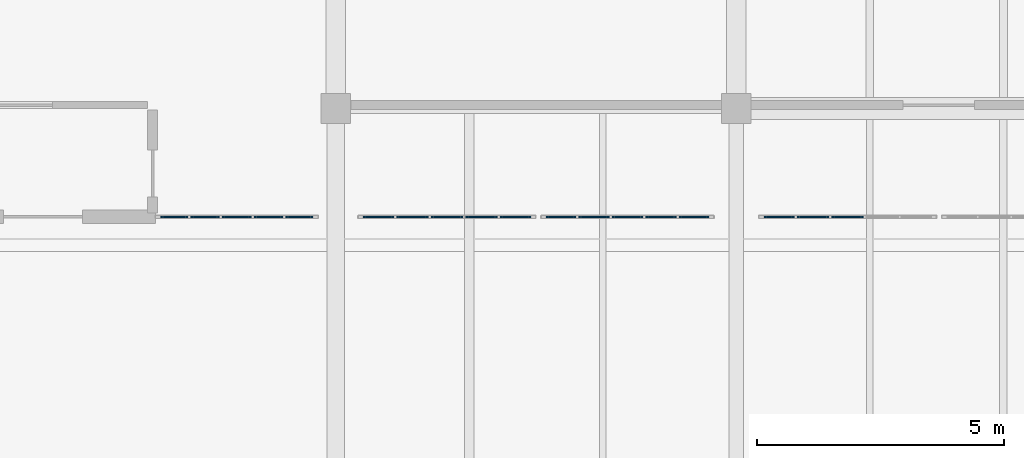
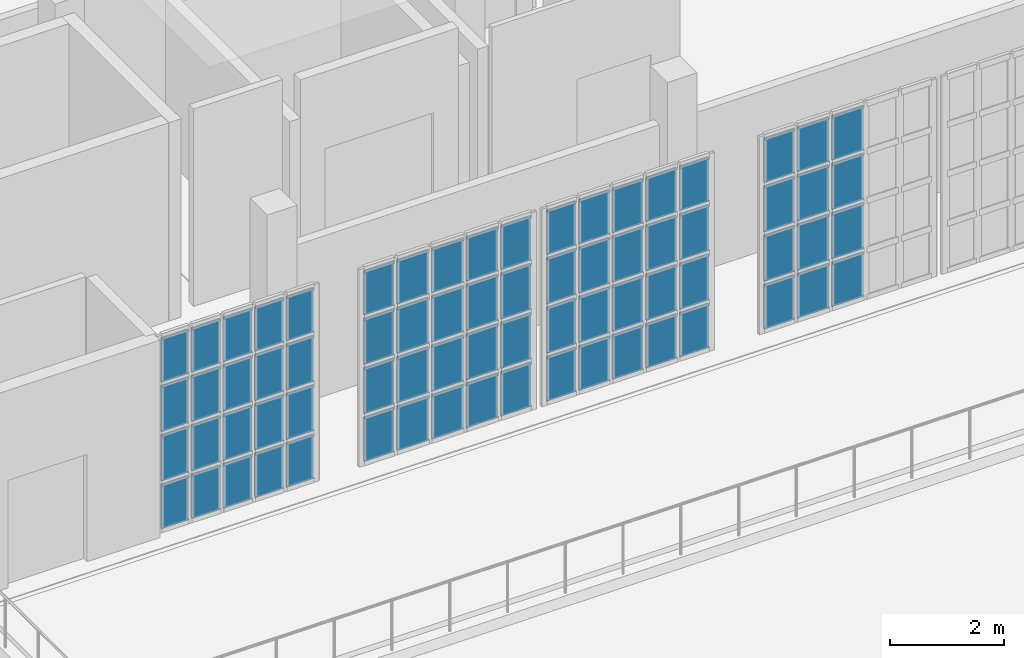
# One storey, part 39 of 56: 72 plates, 4 elements without a shape of their own.
"""IFC4 building model written with IfcOpenShell, lengths in metres."""

from ifc_helpers import new_model, si_unit, direction, frame, origin, origin_2d, place, context, subcontext, project, spatial, rectangle, extrude, material, layer, layer_set, type_object, element, aggregate, save


model = new_model("IFC4")

# Units and contexts
model_context = context("Model", 3, precision=1e-05, world=origin(), true_north=direction((0.0, 1.0)))
body_context = subcontext(model_context, "Body", "Model", "MODEL_VIEW")
ifc_project = project(units=[si_unit("LENGTHUNIT", "METRE"), si_unit("AREAUNIT", "SQUARE_METRE"), si_unit("VOLUMEUNIT", "CUBIC_METRE"), si_unit("PLANEANGLEUNIT", "RADIAN"), si_unit("MASSUNIT", "GRAM", prefix="KILO")], contexts=[model_context])

# Site, building, storey
site_placement = place(None, origin())
site = spatial("IfcSite", under=ifc_project, at=site_placement, CompositionType="ELEMENT")
building_placement = place(site_placement, origin())
building = spatial("IfcBuilding", under=site, at=building_placement, Name="Kaelora Sail Theatre", CompositionType="ELEMENT")
storey_placement = place(building_placement, frame((0.0, 0.0, 14.699951171875)))
storey = spatial("IfcBuildingStorey", under=building, at=storey_placement, Name="L03", CompositionType="ELEMENT", Elevation=14.699951171875)

# Curtain wall, plates
ifc_material_1 = material(Name="Anodised aluminium and solar-control low-E IGU", Category="aluminium")
curtain_wall_type = type_object("IfcCurtainWallType", Name="ARC-CW-CW-NWG", PredefinedType="NOTDEFINED", material=ifc_material_1)
curtain_wall_1_placement = place(storey_placement, origin())
curtain_wall_1 = element("IfcCurtainWall", 1, at=curtain_wall_1_placement, inside=storey, type_object=curtain_wall_type, Name="Glazed Foyer/Conservatory Curtain Wall NW4-S-L03-01", PredefinedType="NOTDEFINED")
ifc_material_2 = material(Name="Solar-control laminated low-E glass", Category="glass")
ifc_layer = layer(ifc_material_2, 0.031982421875)
ifc_layer_set = layer_set([ifc_layer], Name="Solar-control laminated low-E glass")
plate_type = type_object("IfcPlateType", Name="ARC-CW-PNL", PredefinedType="CURTAIN_PANEL", material=ifc_layer_set)
plate_1_placement = place(storey_placement, frame((103.534912109375, 88.590087890625, 0.070068359375), z_axis=(0.0, 0.0, 1.0), x_axis=(1.0, 0.0, 0.0)))
plate_1 = element("IfcPlate", 2, at=plate_1_placement, type_object=plate_type, Name="CW-NWG panel 1.1", PredefinedType="CURTAIN_PANEL", context=body_context, shape_type="SweptSolid", body=[
    extrude(rectangle(XDim=0.550048828125, YDim=0.031982421875, at=origin_2d()), origin(), (0.0, 0.0, 1.0), 0.951171875),
])
plate_2_placement = place(storey_placement, frame((103.534912109375, 88.590087890625, 1.09130859375), z_axis=(0.0, 0.0, 1.0), x_axis=(1.0, 0.0, 0.0)))
plate_2 = element("IfcPlate", 3, at=plate_2_placement, type_object=plate_type, Name="CW-NWG panel 1.2", PredefinedType="CURTAIN_PANEL", context=body_context, shape_type="SweptSolid", body=[
    extrude(rectangle(XDim=0.550048828125, YDim=0.031982421875, at=origin_2d()), origin(), (0.0, 0.0, 1.0), 0.986328125),
])
plate_3_placement = place(storey_placement, frame((103.534912109375, 88.590087890625, 2.1474609375), z_axis=(0.0, 0.0, 1.0), x_axis=(1.0, 0.0, 0.0)))
plate_3 = element("IfcPlate", 4, at=plate_3_placement, type_object=plate_type, Name="CW-NWG panel 1.3", PredefinedType="CURTAIN_PANEL", context=body_context, shape_type="SweptSolid", body=[
    extrude(rectangle(XDim=0.550048828125, YDim=0.031982421875, at=origin_2d()), origin(), (0.0, 0.0, 1.0), 0.986083984375),
])
plate_4_placement = place(storey_placement, frame((103.534912109375, 88.590087890625, 3.20361328125), z_axis=(0.0, 0.0, 1.0), x_axis=(1.0, 0.0, 0.0)))
plate_4 = element("IfcPlate", 5, at=plate_4_placement, type_object=plate_type, Name="CW-NWG panel 1.4", PredefinedType="CURTAIN_PANEL", context=body_context, shape_type="SweptSolid", body=[
    extrude(rectangle(XDim=0.550048828125, YDim=0.031982421875, at=origin_2d()), origin(), (0.0, 0.0, 1.0), 0.951416015625),
])
plate_5_placement = place(storey_placement, frame((104.159912109375, 88.590087890625, 0.070068359375), z_axis=(0.0, 0.0, 1.0), x_axis=(1.0, 0.0, 0.0)))
plate_5 = element("IfcPlate", 6, at=plate_5_placement, type_object=plate_type, Name="CW-NWG panel 2.1", PredefinedType="CURTAIN_PANEL", context=body_context, shape_type="SweptSolid", body=[
    extrude(rectangle(XDim=0.580078125, YDim=0.031982421875, at=origin_2d()), origin(), (0.0, 0.0, 1.0), 0.951171875),
])
plate_6_placement = place(storey_placement, frame((104.159912109375, 88.590087890625, 1.09130859375), z_axis=(0.0, 0.0, 1.0), x_axis=(1.0, 0.0, 0.0)))
plate_6 = element("IfcPlate", 7, at=plate_6_placement, type_object=plate_type, Name="CW-NWG panel 2.2", PredefinedType="CURTAIN_PANEL", context=body_context, shape_type="SweptSolid", body=[
    extrude(rectangle(XDim=0.580078125, YDim=0.031982421875, at=origin_2d()), origin(), (0.0, 0.0, 1.0), 0.986328125),
])
plate_7_placement = place(storey_placement, frame((104.159912109375, 88.590087890625, 2.1474609375), z_axis=(0.0, 0.0, 1.0), x_axis=(1.0, 0.0, 0.0)))
plate_7 = element("IfcPlate", 8, at=plate_7_placement, type_object=plate_type, Name="CW-NWG panel 2.3", PredefinedType="CURTAIN_PANEL", context=body_context, shape_type="SweptSolid", body=[
    extrude(rectangle(XDim=0.580078125, YDim=0.031982421875, at=origin_2d()), origin(), (0.0, 0.0, 1.0), 0.986083984375),
])
plate_8_placement = place(storey_placement, frame((104.159912109375, 88.590087890625, 3.20361328125), z_axis=(0.0, 0.0, 1.0), x_axis=(1.0, 0.0, 0.0)))
plate_8 = element("IfcPlate", 9, at=plate_8_placement, type_object=plate_type, Name="CW-NWG panel 2.4", PredefinedType="CURTAIN_PANEL", context=body_context, shape_type="SweptSolid", body=[
    extrude(rectangle(XDim=0.580078125, YDim=0.031982421875, at=origin_2d()), origin(), (0.0, 0.0, 1.0), 0.951416015625),
])
plate_9_placement = place(storey_placement, frame((104.800048828125, 88.590087890625, 0.070068359375), z_axis=(0.0, 0.0, 1.0), x_axis=(1.0, 0.0, 0.0)))
plate_9 = element("IfcPlate", 10, at=plate_9_placement, type_object=plate_type, Name="CW-NWG panel 3.1", PredefinedType="CURTAIN_PANEL", context=body_context, shape_type="SweptSolid", body=[
    extrude(rectangle(XDim=0.580078125, YDim=0.031982421875, at=origin_2d()), origin(), (0.0, 0.0, 1.0), 0.951171875),
])
plate_10_placement = place(storey_placement, frame((104.800048828125, 88.590087890625, 1.09130859375), z_axis=(0.0, 0.0, 1.0), x_axis=(1.0, 0.0, 0.0)))
plate_10 = element("IfcPlate", 11, at=plate_10_placement, type_object=plate_type, Name="CW-NWG panel 3.2", PredefinedType="CURTAIN_PANEL", context=body_context, shape_type="SweptSolid", body=[
    extrude(rectangle(XDim=0.580078125, YDim=0.031982421875, at=origin_2d()), origin(), (0.0, 0.0, 1.0), 0.986328125),
])
plate_11_placement = place(storey_placement, frame((104.800048828125, 88.590087890625, 2.1474609375), z_axis=(0.0, 0.0, 1.0), x_axis=(1.0, 0.0, 0.0)))
plate_11 = element("IfcPlate", 12, at=plate_11_placement, type_object=plate_type, Name="CW-NWG panel 3.3", PredefinedType="CURTAIN_PANEL", context=body_context, shape_type="SweptSolid", body=[
    extrude(rectangle(XDim=0.580078125, YDim=0.031982421875, at=origin_2d()), origin(), (0.0, 0.0, 1.0), 0.986083984375),
])
plate_12_placement = place(storey_placement, frame((104.800048828125, 88.590087890625, 3.20361328125), z_axis=(0.0, 0.0, 1.0), x_axis=(1.0, 0.0, 0.0)))
plate_12 = element("IfcPlate", 13, at=plate_12_placement, type_object=plate_type, Name="CW-NWG panel 3.4", PredefinedType="CURTAIN_PANEL", context=body_context, shape_type="SweptSolid", body=[
    extrude(rectangle(XDim=0.580078125, YDim=0.031982421875, at=origin_2d()), origin(), (0.0, 0.0, 1.0), 0.951416015625),
])
plate_13_placement = place(storey_placement, frame((105.43994140625, 88.590087890625, 0.070068359375), z_axis=(0.0, 0.0, 1.0), x_axis=(1.0, 0.0, 0.0)))
plate_13 = element("IfcPlate", 14, at=plate_13_placement, type_object=plate_type, Name="CW-NWG panel 4.1", PredefinedType="CURTAIN_PANEL", context=body_context, shape_type="SweptSolid", body=[
    extrude(rectangle(XDim=0.580078125, YDim=0.031982421875, at=origin_2d()), origin(), (0.0, 0.0, 1.0), 0.951171875),
])
plate_14_placement = place(storey_placement, frame((105.43994140625, 88.590087890625, 1.09130859375), z_axis=(0.0, 0.0, 1.0), x_axis=(1.0, 0.0, 0.0)))
plate_14 = element("IfcPlate", 15, at=plate_14_placement, type_object=plate_type, Name="CW-NWG panel 4.2", PredefinedType="CURTAIN_PANEL", context=body_context, shape_type="SweptSolid", body=[
    extrude(rectangle(XDim=0.580078125, YDim=0.031982421875, at=origin_2d()), origin(), (0.0, 0.0, 1.0), 0.986328125),
])
plate_15_placement = place(storey_placement, frame((105.43994140625, 88.590087890625, 2.1474609375), z_axis=(0.0, 0.0, 1.0), x_axis=(1.0, 0.0, 0.0)))
plate_15 = element("IfcPlate", 16, at=plate_15_placement, type_object=plate_type, Name="CW-NWG panel 4.3", PredefinedType="CURTAIN_PANEL", context=body_context, shape_type="SweptSolid", body=[
    extrude(rectangle(XDim=0.580078125, YDim=0.031982421875, at=origin_2d()), origin(), (0.0, 0.0, 1.0), 0.986083984375),
])
plate_16_placement = place(storey_placement, frame((105.43994140625, 88.590087890625, 3.20361328125), z_axis=(0.0, 0.0, 1.0), x_axis=(1.0, 0.0, 0.0)))
plate_16 = element("IfcPlate", 17, at=plate_16_placement, type_object=plate_type, Name="CW-NWG panel 4.4", PredefinedType="CURTAIN_PANEL", context=body_context, shape_type="SweptSolid", body=[
    extrude(rectangle(XDim=0.580078125, YDim=0.031982421875, at=origin_2d()), origin(), (0.0, 0.0, 1.0), 0.951416015625),
])
plate_17_placement = place(storey_placement, frame((106.06494140625, 88.590087890625, 0.070068359375), z_axis=(0.0, 0.0, 1.0), x_axis=(1.0, 0.0, 0.0)))
plate_17 = element("IfcPlate", 18, at=plate_17_placement, type_object=plate_type, Name="CW-NWG panel 5.1", PredefinedType="CURTAIN_PANEL", context=body_context, shape_type="SweptSolid", body=[
    extrude(rectangle(XDim=0.550048828125, YDim=0.031982421875, at=origin_2d()), origin(), (0.0, 0.0, 1.0), 0.951171875),
])
plate_18_placement = place(storey_placement, frame((106.06494140625, 88.590087890625, 1.09130859375), z_axis=(0.0, 0.0, 1.0), x_axis=(1.0, 0.0, 0.0)))
plate_18 = element("IfcPlate", 19, at=plate_18_placement, type_object=plate_type, Name="CW-NWG panel 5.2", PredefinedType="CURTAIN_PANEL", context=body_context, shape_type="SweptSolid", body=[
    extrude(rectangle(XDim=0.550048828125, YDim=0.031982421875, at=origin_2d()), origin(), (0.0, 0.0, 1.0), 0.986328125),
])
plate_19_placement = place(storey_placement, frame((106.06494140625, 88.590087890625, 2.1474609375), z_axis=(0.0, 0.0, 1.0), x_axis=(1.0, 0.0, 0.0)))
plate_19 = element("IfcPlate", 20, at=plate_19_placement, type_object=plate_type, Name="CW-NWG panel 5.3", PredefinedType="CURTAIN_PANEL", context=body_context, shape_type="SweptSolid", body=[
    extrude(rectangle(XDim=0.550048828125, YDim=0.031982421875, at=origin_2d()), origin(), (0.0, 0.0, 1.0), 0.986083984375),
])
plate_20_placement = place(storey_placement, frame((106.06494140625, 88.590087890625, 3.20361328125), z_axis=(0.0, 0.0, 1.0), x_axis=(1.0, 0.0, 0.0)))
plate_20 = element("IfcPlate", 21, at=plate_20_placement, type_object=plate_type, Name="CW-NWG panel 5.4", PredefinedType="CURTAIN_PANEL", context=body_context, shape_type="SweptSolid", body=[
    extrude(rectangle(XDim=0.550048828125, YDim=0.031982421875, at=origin_2d()), origin(), (0.0, 0.0, 1.0), 0.951416015625),
])
aggregate(curtain_wall_1, [plate_1, plate_2, plate_3, plate_4, plate_5, plate_6, plate_7, plate_8, plate_9, plate_10, plate_11, plate_12, plate_13, plate_14, plate_15, plate_16, plate_17, plate_18, plate_19, plate_20])

curtain_wall_2_placement = place(storey_placement, origin())
curtain_wall_2 = element("IfcCurtainWall", 22, at=curtain_wall_2_placement, inside=storey, type_object=curtain_wall_type, Name="Glazed Foyer/Conservatory Curtain Wall NW4-S-L03-02", PredefinedType="NOTDEFINED")
plate_21_placement = place(storey_placement, frame((107.6650390625, 88.590087890625, 0.070068359375), z_axis=(0.0, 0.0, 1.0), x_axis=(1.0, 0.0, 0.0)))
plate_21 = element("IfcPlate", 23, at=plate_21_placement, type_object=plate_type, Name="CW-NWG panel 1.1", PredefinedType="CURTAIN_PANEL", context=body_context, shape_type="SweptSolid", body=[
    extrude(rectangle(XDim=0.610107421875, YDim=0.031982421875, at=origin_2d()), origin(), (0.0, 0.0, 1.0), 0.951171875),
])
plate_22_placement = place(storey_placement, frame((107.6650390625, 88.590087890625, 1.09130859375), z_axis=(0.0, 0.0, 1.0), x_axis=(1.0, 0.0, 0.0)))
plate_22 = element("IfcPlate", 24, at=plate_22_placement, type_object=plate_type, Name="CW-NWG panel 1.2", PredefinedType="CURTAIN_PANEL", context=body_context, shape_type="SweptSolid", body=[
    extrude(rectangle(XDim=0.610107421875, YDim=0.031982421875, at=origin_2d()), origin(), (0.0, 0.0, 1.0), 0.986328125),
])
plate_23_placement = place(storey_placement, frame((107.6650390625, 88.590087890625, 2.1474609375), z_axis=(0.0, 0.0, 1.0), x_axis=(1.0, 0.0, 0.0)))
plate_23 = element("IfcPlate", 25, at=plate_23_placement, type_object=plate_type, Name="CW-NWG panel 1.3", PredefinedType="CURTAIN_PANEL", context=body_context, shape_type="SweptSolid", body=[
    extrude(rectangle(XDim=0.610107421875, YDim=0.031982421875, at=origin_2d()), origin(), (0.0, 0.0, 1.0), 0.986083984375),
])
plate_24_placement = place(storey_placement, frame((107.6650390625, 88.590087890625, 3.20361328125), z_axis=(0.0, 0.0, 1.0), x_axis=(1.0, 0.0, 0.0)))
plate_24 = element("IfcPlate", 26, at=plate_24_placement, type_object=plate_type, Name="CW-NWG panel 1.4", PredefinedType="CURTAIN_PANEL", context=body_context, shape_type="SweptSolid", body=[
    extrude(rectangle(XDim=0.610107421875, YDim=0.031982421875, at=origin_2d()), origin(), (0.0, 0.0, 1.0), 0.951416015625),
])
plate_25_placement = place(storey_placement, frame((108.35009765625, 88.590087890625, 0.070068359375), z_axis=(0.0, 0.0, 1.0), x_axis=(1.0, 0.0, 0.0)))
plate_25 = element("IfcPlate", 27, at=plate_25_placement, type_object=plate_type, Name="CW-NWG panel 2.1", PredefinedType="CURTAIN_PANEL", context=body_context, shape_type="SweptSolid", body=[
    extrude(rectangle(XDim=0.639892578125, YDim=0.031982421875, at=origin_2d()), origin(), (0.0, 0.0, 1.0), 0.951171875),
])
plate_26_placement = place(storey_placement, frame((108.35009765625, 88.590087890625, 1.09130859375), z_axis=(0.0, 0.0, 1.0), x_axis=(1.0, 0.0, 0.0)))
plate_26 = element("IfcPlate", 28, at=plate_26_placement, type_object=plate_type, Name="CW-NWG panel 2.2", PredefinedType="CURTAIN_PANEL", context=body_context, shape_type="SweptSolid", body=[
    extrude(rectangle(XDim=0.639892578125, YDim=0.031982421875, at=origin_2d()), origin(), (0.0, 0.0, 1.0), 0.986328125),
])
plate_27_placement = place(storey_placement, frame((108.35009765625, 88.590087890625, 2.1474609375), z_axis=(0.0, 0.0, 1.0), x_axis=(1.0, 0.0, 0.0)))
plate_27 = element("IfcPlate", 29, at=plate_27_placement, type_object=plate_type, Name="CW-NWG panel 2.3", PredefinedType="CURTAIN_PANEL", context=body_context, shape_type="SweptSolid", body=[
    extrude(rectangle(XDim=0.639892578125, YDim=0.031982421875, at=origin_2d()), origin(), (0.0, 0.0, 1.0), 0.986083984375),
])
plate_28_placement = place(storey_placement, frame((108.35009765625, 88.590087890625, 3.20361328125), z_axis=(0.0, 0.0, 1.0), x_axis=(1.0, 0.0, 0.0)))
plate_28 = element("IfcPlate", 30, at=plate_28_placement, type_object=plate_type, Name="CW-NWG panel 2.4", PredefinedType="CURTAIN_PANEL", context=body_context, shape_type="SweptSolid", body=[
    extrude(rectangle(XDim=0.639892578125, YDim=0.031982421875, at=origin_2d()), origin(), (0.0, 0.0, 1.0), 0.951416015625),
])
plate_29_placement = place(storey_placement, frame((109.050048828125, 88.590087890625, 0.070068359375), z_axis=(0.0, 0.0, 1.0), x_axis=(1.0, 0.0, 0.0)))
plate_29 = element("IfcPlate", 31, at=plate_29_placement, type_object=plate_type, Name="CW-NWG panel 3.1", PredefinedType="CURTAIN_PANEL", context=body_context, shape_type="SweptSolid", body=[
    extrude(rectangle(XDim=0.639892578125, YDim=0.031982421875, at=origin_2d()), origin(), (0.0, 0.0, 1.0), 0.951171875),
])
plate_30_placement = place(storey_placement, frame((109.050048828125, 88.590087890625, 1.09130859375), z_axis=(0.0, 0.0, 1.0), x_axis=(1.0, 0.0, 0.0)))
plate_30 = element("IfcPlate", 32, at=plate_30_placement, type_object=plate_type, Name="CW-NWG panel 3.2", PredefinedType="CURTAIN_PANEL", context=body_context, shape_type="SweptSolid", body=[
    extrude(rectangle(XDim=0.639892578125, YDim=0.031982421875, at=origin_2d()), origin(), (0.0, 0.0, 1.0), 0.986328125),
])
plate_31_placement = place(storey_placement, frame((109.050048828125, 88.590087890625, 2.1474609375), z_axis=(0.0, 0.0, 1.0), x_axis=(1.0, 0.0, 0.0)))
plate_31 = element("IfcPlate", 33, at=plate_31_placement, type_object=plate_type, Name="CW-NWG panel 3.3", PredefinedType="CURTAIN_PANEL", context=body_context, shape_type="SweptSolid", body=[
    extrude(rectangle(XDim=0.639892578125, YDim=0.031982421875, at=origin_2d()), origin(), (0.0, 0.0, 1.0), 0.986083984375),
])
plate_32_placement = place(storey_placement, frame((109.050048828125, 88.590087890625, 3.20361328125), z_axis=(0.0, 0.0, 1.0), x_axis=(1.0, 0.0, 0.0)))
plate_32 = element("IfcPlate", 34, at=plate_32_placement, type_object=plate_type, Name="CW-NWG panel 3.4", PredefinedType="CURTAIN_PANEL", context=body_context, shape_type="SweptSolid", body=[
    extrude(rectangle(XDim=0.639892578125, YDim=0.031982421875, at=origin_2d()), origin(), (0.0, 0.0, 1.0), 0.951416015625),
])
plate_33_placement = place(storey_placement, frame((109.75, 88.590087890625, 0.070068359375), z_axis=(0.0, 0.0, 1.0), x_axis=(1.0, 0.0, 0.0)))
plate_33 = element("IfcPlate", 35, at=plate_33_placement, type_object=plate_type, Name="CW-NWG panel 4.1", PredefinedType="CURTAIN_PANEL", context=body_context, shape_type="SweptSolid", body=[
    extrude(rectangle(XDim=0.639892578125, YDim=0.031982421875, at=origin_2d()), origin(), (0.0, 0.0, 1.0), 0.951171875),
])
plate_34_placement = place(storey_placement, frame((109.75, 88.590087890625, 1.09130859375), z_axis=(0.0, 0.0, 1.0), x_axis=(1.0, 0.0, 0.0)))
plate_34 = element("IfcPlate", 36, at=plate_34_placement, type_object=plate_type, Name="CW-NWG panel 4.2", PredefinedType="CURTAIN_PANEL", context=body_context, shape_type="SweptSolid", body=[
    extrude(rectangle(XDim=0.639892578125, YDim=0.031982421875, at=origin_2d()), origin(), (0.0, 0.0, 1.0), 0.986328125),
])
plate_35_placement = place(storey_placement, frame((109.75, 88.590087890625, 2.1474609375), z_axis=(0.0, 0.0, 1.0), x_axis=(1.0, 0.0, 0.0)))
plate_35 = element("IfcPlate", 37, at=plate_35_placement, type_object=plate_type, Name="CW-NWG panel 4.3", PredefinedType="CURTAIN_PANEL", context=body_context, shape_type="SweptSolid", body=[
    extrude(rectangle(XDim=0.639892578125, YDim=0.031982421875, at=origin_2d()), origin(), (0.0, 0.0, 1.0), 0.986083984375),
])
plate_36_placement = place(storey_placement, frame((109.75, 88.590087890625, 3.20361328125), z_axis=(0.0, 0.0, 1.0), x_axis=(1.0, 0.0, 0.0)))
plate_36 = element("IfcPlate", 38, at=plate_36_placement, type_object=plate_type, Name="CW-NWG panel 4.4", PredefinedType="CURTAIN_PANEL", context=body_context, shape_type="SweptSolid", body=[
    extrude(rectangle(XDim=0.639892578125, YDim=0.031982421875, at=origin_2d()), origin(), (0.0, 0.0, 1.0), 0.951416015625),
])
plate_37_placement = place(storey_placement, frame((110.43505859375, 88.590087890625, 0.070068359375), z_axis=(0.0, 0.0, 1.0), x_axis=(1.0, 0.0, 0.0)))
plate_37 = element("IfcPlate", 39, at=plate_37_placement, type_object=plate_type, Name="CW-NWG panel 5.1", PredefinedType="CURTAIN_PANEL", context=body_context, shape_type="SweptSolid", body=[
    extrude(rectangle(XDim=0.610107421875, YDim=0.031982421875, at=origin_2d()), origin(), (0.0, 0.0, 1.0), 0.951171875),
])
plate_38_placement = place(storey_placement, frame((110.43505859375, 88.590087890625, 1.09130859375), z_axis=(0.0, 0.0, 1.0), x_axis=(1.0, 0.0, 0.0)))
plate_38 = element("IfcPlate", 40, at=plate_38_placement, type_object=plate_type, Name="CW-NWG panel 5.2", PredefinedType="CURTAIN_PANEL", context=body_context, shape_type="SweptSolid", body=[
    extrude(rectangle(XDim=0.610107421875, YDim=0.031982421875, at=origin_2d()), origin(), (0.0, 0.0, 1.0), 0.986328125),
])
plate_39_placement = place(storey_placement, frame((110.43505859375, 88.590087890625, 2.1474609375), z_axis=(0.0, 0.0, 1.0), x_axis=(1.0, 0.0, 0.0)))
plate_39 = element("IfcPlate", 41, at=plate_39_placement, type_object=plate_type, Name="CW-NWG panel 5.3", PredefinedType="CURTAIN_PANEL", context=body_context, shape_type="SweptSolid", body=[
    extrude(rectangle(XDim=0.610107421875, YDim=0.031982421875, at=origin_2d()), origin(), (0.0, 0.0, 1.0), 0.986083984375),
])
plate_40_placement = place(storey_placement, frame((110.43505859375, 88.590087890625, 3.20361328125), z_axis=(0.0, 0.0, 1.0), x_axis=(1.0, 0.0, 0.0)))
plate_40 = element("IfcPlate", 42, at=plate_40_placement, type_object=plate_type, Name="CW-NWG panel 5.4", PredefinedType="CURTAIN_PANEL", context=body_context, shape_type="SweptSolid", body=[
    extrude(rectangle(XDim=0.610107421875, YDim=0.031982421875, at=origin_2d()), origin(), (0.0, 0.0, 1.0), 0.951416015625),
])
aggregate(curtain_wall_2, [plate_21, plate_22, plate_23, plate_24, plate_25, plate_26, plate_27, plate_28, plate_29, plate_30, plate_31, plate_32, plate_33, plate_34, plate_35, plate_36, plate_37, plate_38, plate_39, plate_40])

curtain_wall_3_placement = place(storey_placement, origin())
curtain_wall_3 = element("IfcCurtainWall", 43, at=curtain_wall_3_placement, inside=storey, type_object=curtain_wall_type, Name="Glazed Foyer/Conservatory Curtain Wall NW4-S-L03-03", PredefinedType="NOTDEFINED")
plate_41_placement = place(storey_placement, frame((111.35498046875, 88.590087890625, 0.070068359375), z_axis=(0.0, 0.0, 1.0), x_axis=(1.0, 0.0, 0.0)))
plate_41 = element("IfcPlate", 44, at=plate_41_placement, type_object=plate_type, Name="CW-NWG panel 1.1", PredefinedType="CURTAIN_PANEL", context=body_context, shape_type="SweptSolid", body=[
    extrude(rectangle(XDim=0.590087890625, YDim=0.031982421875, at=origin_2d()), origin(), (0.0, 0.0, 1.0), 0.951171875),
])
plate_42_placement = place(storey_placement, frame((111.35498046875, 88.590087890625, 1.09130859375), z_axis=(0.0, 0.0, 1.0), x_axis=(1.0, 0.0, 0.0)))
plate_42 = element("IfcPlate", 45, at=plate_42_placement, type_object=plate_type, Name="CW-NWG panel 1.2", PredefinedType="CURTAIN_PANEL", context=body_context, shape_type="SweptSolid", body=[
    extrude(rectangle(XDim=0.590087890625, YDim=0.031982421875, at=origin_2d()), origin(), (0.0, 0.0, 1.0), 0.986328125),
])
plate_43_placement = place(storey_placement, frame((111.35498046875, 88.590087890625, 2.1474609375), z_axis=(0.0, 0.0, 1.0), x_axis=(1.0, 0.0, 0.0)))
plate_43 = element("IfcPlate", 46, at=plate_43_placement, type_object=plate_type, Name="CW-NWG panel 1.3", PredefinedType="CURTAIN_PANEL", context=body_context, shape_type="SweptSolid", body=[
    extrude(rectangle(XDim=0.590087890625, YDim=0.031982421875, at=origin_2d()), origin(), (0.0, 0.0, 1.0), 0.986083984375),
])
plate_44_placement = place(storey_placement, frame((111.35498046875, 88.590087890625, 3.20361328125), z_axis=(0.0, 0.0, 1.0), x_axis=(1.0, 0.0, 0.0)))
plate_44 = element("IfcPlate", 47, at=plate_44_placement, type_object=plate_type, Name="CW-NWG panel 1.4", PredefinedType="CURTAIN_PANEL", context=body_context, shape_type="SweptSolid", body=[
    extrude(rectangle(XDim=0.590087890625, YDim=0.031982421875, at=origin_2d()), origin(), (0.0, 0.0, 1.0), 0.951416015625),
])
plate_45_placement = place(storey_placement, frame((112.02001953125, 88.590087890625, 0.070068359375), z_axis=(0.0, 0.0, 1.0), x_axis=(1.0, 0.0, 0.0)))
plate_45 = element("IfcPlate", 48, at=plate_45_placement, type_object=plate_type, Name="CW-NWG panel 2.1", PredefinedType="CURTAIN_PANEL", context=body_context, shape_type="SweptSolid", body=[
    extrude(rectangle(XDim=0.6201171875, YDim=0.031982421875, at=origin_2d()), origin(), (0.0, 0.0, 1.0), 0.951171875),
])
plate_46_placement = place(storey_placement, frame((112.02001953125, 88.590087890625, 1.09130859375), z_axis=(0.0, 0.0, 1.0), x_axis=(1.0, 0.0, 0.0)))
plate_46 = element("IfcPlate", 49, at=plate_46_placement, type_object=plate_type, Name="CW-NWG panel 2.2", PredefinedType="CURTAIN_PANEL", context=body_context, shape_type="SweptSolid", body=[
    extrude(rectangle(XDim=0.6201171875, YDim=0.031982421875, at=origin_2d()), origin(), (0.0, 0.0, 1.0), 0.986328125),
])
plate_47_placement = place(storey_placement, frame((112.02001953125, 88.590087890625, 2.1474609375), z_axis=(0.0, 0.0, 1.0), x_axis=(1.0, 0.0, 0.0)))
plate_47 = element("IfcPlate", 50, at=plate_47_placement, type_object=plate_type, Name="CW-NWG panel 2.3", PredefinedType="CURTAIN_PANEL", context=body_context, shape_type="SweptSolid", body=[
    extrude(rectangle(XDim=0.6201171875, YDim=0.031982421875, at=origin_2d()), origin(), (0.0, 0.0, 1.0), 0.986083984375),
])
plate_48_placement = place(storey_placement, frame((112.02001953125, 88.590087890625, 3.20361328125), z_axis=(0.0, 0.0, 1.0), x_axis=(1.0, 0.0, 0.0)))
plate_48 = element("IfcPlate", 51, at=plate_48_placement, type_object=plate_type, Name="CW-NWG panel 2.4", PredefinedType="CURTAIN_PANEL", context=body_context, shape_type="SweptSolid", body=[
    extrude(rectangle(XDim=0.6201171875, YDim=0.031982421875, at=origin_2d()), origin(), (0.0, 0.0, 1.0), 0.951416015625),
])
plate_49_placement = place(storey_placement, frame((112.699951171875, 88.590087890625, 0.070068359375), z_axis=(0.0, 0.0, 1.0), x_axis=(1.0, 0.0, 0.0)))
plate_49 = element("IfcPlate", 52, at=plate_49_placement, type_object=plate_type, Name="CW-NWG panel 3.1", PredefinedType="CURTAIN_PANEL", context=body_context, shape_type="SweptSolid", body=[
    extrude(rectangle(XDim=0.6201171875, YDim=0.031982421875, at=origin_2d()), origin(), (0.0, 0.0, 1.0), 0.951171875),
])
plate_50_placement = place(storey_placement, frame((112.699951171875, 88.590087890625, 1.09130859375), z_axis=(0.0, 0.0, 1.0), x_axis=(1.0, 0.0, 0.0)))
plate_50 = element("IfcPlate", 53, at=plate_50_placement, type_object=plate_type, Name="CW-NWG panel 3.2", PredefinedType="CURTAIN_PANEL", context=body_context, shape_type="SweptSolid", body=[
    extrude(rectangle(XDim=0.6201171875, YDim=0.031982421875, at=origin_2d()), origin(), (0.0, 0.0, 1.0), 0.986328125),
])
plate_51_placement = place(storey_placement, frame((112.699951171875, 88.590087890625, 2.1474609375), z_axis=(0.0, 0.0, 1.0), x_axis=(1.0, 0.0, 0.0)))
plate_51 = element("IfcPlate", 54, at=plate_51_placement, type_object=plate_type, Name="CW-NWG panel 3.3", PredefinedType="CURTAIN_PANEL", context=body_context, shape_type="SweptSolid", body=[
    extrude(rectangle(XDim=0.6201171875, YDim=0.031982421875, at=origin_2d()), origin(), (0.0, 0.0, 1.0), 0.986083984375),
])
plate_52_placement = place(storey_placement, frame((112.699951171875, 88.590087890625, 3.20361328125), z_axis=(0.0, 0.0, 1.0), x_axis=(1.0, 0.0, 0.0)))
plate_52 = element("IfcPlate", 55, at=plate_52_placement, type_object=plate_type, Name="CW-NWG panel 3.4", PredefinedType="CURTAIN_PANEL", context=body_context, shape_type="SweptSolid", body=[
    extrude(rectangle(XDim=0.6201171875, YDim=0.031982421875, at=origin_2d()), origin(), (0.0, 0.0, 1.0), 0.951416015625),
])
plate_53_placement = place(storey_placement, frame((113.3798828125, 88.590087890625, 0.070068359375), z_axis=(0.0, 0.0, 1.0), x_axis=(1.0, 0.0, 0.0)))
plate_53 = element("IfcPlate", 56, at=plate_53_placement, type_object=plate_type, Name="CW-NWG panel 4.1", PredefinedType="CURTAIN_PANEL", context=body_context, shape_type="SweptSolid", body=[
    extrude(rectangle(XDim=0.6201171875, YDim=0.031982421875, at=origin_2d()), origin(), (0.0, 0.0, 1.0), 0.951171875),
])
plate_54_placement = place(storey_placement, frame((113.3798828125, 88.590087890625, 1.09130859375), z_axis=(0.0, 0.0, 1.0), x_axis=(1.0, 0.0, 0.0)))
plate_54 = element("IfcPlate", 57, at=plate_54_placement, type_object=plate_type, Name="CW-NWG panel 4.2", PredefinedType="CURTAIN_PANEL", context=body_context, shape_type="SweptSolid", body=[
    extrude(rectangle(XDim=0.6201171875, YDim=0.031982421875, at=origin_2d()), origin(), (0.0, 0.0, 1.0), 0.986328125),
])
plate_55_placement = place(storey_placement, frame((113.3798828125, 88.590087890625, 2.1474609375), z_axis=(0.0, 0.0, 1.0), x_axis=(1.0, 0.0, 0.0)))
plate_55 = element("IfcPlate", 58, at=plate_55_placement, type_object=plate_type, Name="CW-NWG panel 4.3", PredefinedType="CURTAIN_PANEL", context=body_context, shape_type="SweptSolid", body=[
    extrude(rectangle(XDim=0.6201171875, YDim=0.031982421875, at=origin_2d()), origin(), (0.0, 0.0, 1.0), 0.986083984375),
])
plate_56_placement = place(storey_placement, frame((113.3798828125, 88.590087890625, 3.20361328125), z_axis=(0.0, 0.0, 1.0), x_axis=(1.0, 0.0, 0.0)))
plate_56 = element("IfcPlate", 59, at=plate_56_placement, type_object=plate_type, Name="CW-NWG panel 4.4", PredefinedType="CURTAIN_PANEL", context=body_context, shape_type="SweptSolid", body=[
    extrude(rectangle(XDim=0.6201171875, YDim=0.031982421875, at=origin_2d()), origin(), (0.0, 0.0, 1.0), 0.951416015625),
])
plate_57_placement = place(storey_placement, frame((114.044921875, 88.590087890625, 0.070068359375), z_axis=(0.0, 0.0, 1.0), x_axis=(1.0, 0.0, 0.0)))
plate_57 = element("IfcPlate", 60, at=plate_57_placement, type_object=plate_type, Name="CW-NWG panel 5.1", PredefinedType="CURTAIN_PANEL", context=body_context, shape_type="SweptSolid", body=[
    extrude(rectangle(XDim=0.590087890625, YDim=0.031982421875, at=origin_2d()), origin(), (0.0, 0.0, 1.0), 0.951171875),
])
plate_58_placement = place(storey_placement, frame((114.044921875, 88.590087890625, 1.09130859375), z_axis=(0.0, 0.0, 1.0), x_axis=(1.0, 0.0, 0.0)))
plate_58 = element("IfcPlate", 61, at=plate_58_placement, type_object=plate_type, Name="CW-NWG panel 5.2", PredefinedType="CURTAIN_PANEL", context=body_context, shape_type="SweptSolid", body=[
    extrude(rectangle(XDim=0.590087890625, YDim=0.031982421875, at=origin_2d()), origin(), (0.0, 0.0, 1.0), 0.986328125),
])
plate_59_placement = place(storey_placement, frame((114.044921875, 88.590087890625, 2.1474609375), z_axis=(0.0, 0.0, 1.0), x_axis=(1.0, 0.0, 0.0)))
plate_59 = element("IfcPlate", 62, at=plate_59_placement, type_object=plate_type, Name="CW-NWG panel 5.3", PredefinedType="CURTAIN_PANEL", context=body_context, shape_type="SweptSolid", body=[
    extrude(rectangle(XDim=0.590087890625, YDim=0.031982421875, at=origin_2d()), origin(), (0.0, 0.0, 1.0), 0.986083984375),
])
plate_60_placement = place(storey_placement, frame((114.044921875, 88.590087890625, 3.20361328125), z_axis=(0.0, 0.0, 1.0), x_axis=(1.0, 0.0, 0.0)))
plate_60 = element("IfcPlate", 63, at=plate_60_placement, type_object=plate_type, Name="CW-NWG panel 5.4", PredefinedType="CURTAIN_PANEL", context=body_context, shape_type="SweptSolid", body=[
    extrude(rectangle(XDim=0.590087890625, YDim=0.031982421875, at=origin_2d()), origin(), (0.0, 0.0, 1.0), 0.951416015625),
])
aggregate(curtain_wall_3, [plate_41, plate_42, plate_43, plate_44, plate_45, plate_46, plate_47, plate_48, plate_49, plate_50, plate_51, plate_52, plate_53, plate_54, plate_55, plate_56, plate_57, plate_58, plate_59, plate_60])

curtain_wall_4_placement = place(storey_placement, origin())
curtain_wall_4 = element("IfcCurtainWall", 64, at=curtain_wall_4_placement, inside=storey, type_object=curtain_wall_type, Name="Glazed Foyer/Conservatory Curtain Wall NW4-S-L03-04", PredefinedType="NOTDEFINED")
plate_61_placement = place(storey_placement, frame((115.764892578125, 88.590087890625, 0.070068359375), z_axis=(0.0, 0.0, 1.0), x_axis=(1.0, 0.0, 0.0)))
plate_61 = element("IfcPlate", 65, at=plate_61_placement, type_object=plate_type, Name="CW-NWG panel 1.1", PredefinedType="CURTAIN_PANEL", context=body_context, shape_type="SweptSolid", body=[
    extrude(rectangle(XDim=0.610107421875, YDim=0.031982421875, at=origin_2d()), origin(), (0.0, 0.0, 1.0), 0.951171875),
])
plate_62_placement = place(storey_placement, frame((115.764892578125, 88.590087890625, 1.09130859375), z_axis=(0.0, 0.0, 1.0), x_axis=(1.0, 0.0, 0.0)))
plate_62 = element("IfcPlate", 66, at=plate_62_placement, type_object=plate_type, Name="CW-NWG panel 1.2", PredefinedType="CURTAIN_PANEL", context=body_context, shape_type="SweptSolid", body=[
    extrude(rectangle(XDim=0.610107421875, YDim=0.031982421875, at=origin_2d()), origin(), (0.0, 0.0, 1.0), 0.986328125),
])
plate_63_placement = place(storey_placement, frame((115.764892578125, 88.590087890625, 2.1474609375), z_axis=(0.0, 0.0, 1.0), x_axis=(1.0, 0.0, 0.0)))
plate_63 = element("IfcPlate", 67, at=plate_63_placement, type_object=plate_type, Name="CW-NWG panel 1.3", PredefinedType="CURTAIN_PANEL", context=body_context, shape_type="SweptSolid", body=[
    extrude(rectangle(XDim=0.610107421875, YDim=0.031982421875, at=origin_2d()), origin(), (0.0, 0.0, 1.0), 0.986083984375),
])
plate_64_placement = place(storey_placement, frame((115.764892578125, 88.590087890625, 3.20361328125), z_axis=(0.0, 0.0, 1.0), x_axis=(1.0, 0.0, 0.0)))
plate_64 = element("IfcPlate", 68, at=plate_64_placement, type_object=plate_type, Name="CW-NWG panel 1.4", PredefinedType="CURTAIN_PANEL", context=body_context, shape_type="SweptSolid", body=[
    extrude(rectangle(XDim=0.610107421875, YDim=0.031982421875, at=origin_2d()), origin(), (0.0, 0.0, 1.0), 0.951416015625),
])
plate_65_placement = place(storey_placement, frame((116.449951171875, 88.590087890625, 0.070068359375), z_axis=(0.0, 0.0, 1.0), x_axis=(1.0, 0.0, 0.0)))
plate_65 = element("IfcPlate", 69, at=plate_65_placement, type_object=plate_type, Name="CW-NWG panel 2.1", PredefinedType="CURTAIN_PANEL", context=body_context, shape_type="SweptSolid", body=[
    extrude(rectangle(XDim=0.639892578125, YDim=0.031982421875, at=origin_2d()), origin(), (0.0, 0.0, 1.0), 0.951171875),
])
plate_66_placement = place(storey_placement, frame((116.449951171875, 88.590087890625, 1.09130859375), z_axis=(0.0, 0.0, 1.0), x_axis=(1.0, 0.0, 0.0)))
plate_66 = element("IfcPlate", 70, at=plate_66_placement, type_object=plate_type, Name="CW-NWG panel 2.2", PredefinedType="CURTAIN_PANEL", context=body_context, shape_type="SweptSolid", body=[
    extrude(rectangle(XDim=0.639892578125, YDim=0.031982421875, at=origin_2d()), origin(), (0.0, 0.0, 1.0), 0.986328125),
])
plate_67_placement = place(storey_placement, frame((116.449951171875, 88.590087890625, 2.1474609375), z_axis=(0.0, 0.0, 1.0), x_axis=(1.0, 0.0, 0.0)))
plate_67 = element("IfcPlate", 71, at=plate_67_placement, type_object=plate_type, Name="CW-NWG panel 2.3", PredefinedType="CURTAIN_PANEL", context=body_context, shape_type="SweptSolid", body=[
    extrude(rectangle(XDim=0.639892578125, YDim=0.031982421875, at=origin_2d()), origin(), (0.0, 0.0, 1.0), 0.986083984375),
])
plate_68_placement = place(storey_placement, frame((116.449951171875, 88.590087890625, 3.20361328125), z_axis=(0.0, 0.0, 1.0), x_axis=(1.0, 0.0, 0.0)))
plate_68 = element("IfcPlate", 72, at=plate_68_placement, type_object=plate_type, Name="CW-NWG panel 2.4", PredefinedType="CURTAIN_PANEL", context=body_context, shape_type="SweptSolid", body=[
    extrude(rectangle(XDim=0.639892578125, YDim=0.031982421875, at=origin_2d()), origin(), (0.0, 0.0, 1.0), 0.951416015625),
])
plate_69_placement = place(storey_placement, frame((117.14990234375, 88.590087890625, 0.070068359375), z_axis=(0.0, 0.0, 1.0), x_axis=(1.0, 0.0, 0.0)))
plate_69 = element("IfcPlate", 73, at=plate_69_placement, type_object=plate_type, Name="CW-NWG panel 3.1", PredefinedType="CURTAIN_PANEL", context=body_context, shape_type="SweptSolid", body=[
    extrude(rectangle(XDim=0.639892578125, YDim=0.031982421875, at=origin_2d()), origin(), (0.0, 0.0, 1.0), 0.951171875),
])
plate_70_placement = place(storey_placement, frame((117.14990234375, 88.590087890625, 1.09130859375), z_axis=(0.0, 0.0, 1.0), x_axis=(1.0, 0.0, 0.0)))
plate_70 = element("IfcPlate", 74, at=plate_70_placement, type_object=plate_type, Name="CW-NWG panel 3.2", PredefinedType="CURTAIN_PANEL", context=body_context, shape_type="SweptSolid", body=[
    extrude(rectangle(XDim=0.639892578125, YDim=0.031982421875, at=origin_2d()), origin(), (0.0, 0.0, 1.0), 0.986328125),
])
plate_71_placement = place(storey_placement, frame((117.14990234375, 88.590087890625, 2.1474609375), z_axis=(0.0, 0.0, 1.0), x_axis=(1.0, 0.0, 0.0)))
plate_71 = element("IfcPlate", 75, at=plate_71_placement, type_object=plate_type, Name="CW-NWG panel 3.3", PredefinedType="CURTAIN_PANEL", context=body_context, shape_type="SweptSolid", body=[
    extrude(rectangle(XDim=0.639892578125, YDim=0.031982421875, at=origin_2d()), origin(), (0.0, 0.0, 1.0), 0.986083984375),
])
plate_72_placement = place(storey_placement, frame((117.14990234375, 88.590087890625, 3.20361328125), z_axis=(0.0, 0.0, 1.0), x_axis=(1.0, 0.0, 0.0)))
plate_72 = element("IfcPlate", 76, at=plate_72_placement, type_object=plate_type, Name="CW-NWG panel 3.4", PredefinedType="CURTAIN_PANEL", context=body_context, shape_type="SweptSolid", body=[
    extrude(rectangle(XDim=0.639892578125, YDim=0.031982421875, at=origin_2d()), origin(), (0.0, 0.0, 1.0), 0.951416015625),
])
aggregate(curtain_wall_4, [plate_61, plate_62, plate_63, plate_64, plate_65, plate_66, plate_67, plate_68, plate_69, plate_70, plate_71, plate_72])

save(model, "model.ifc")
